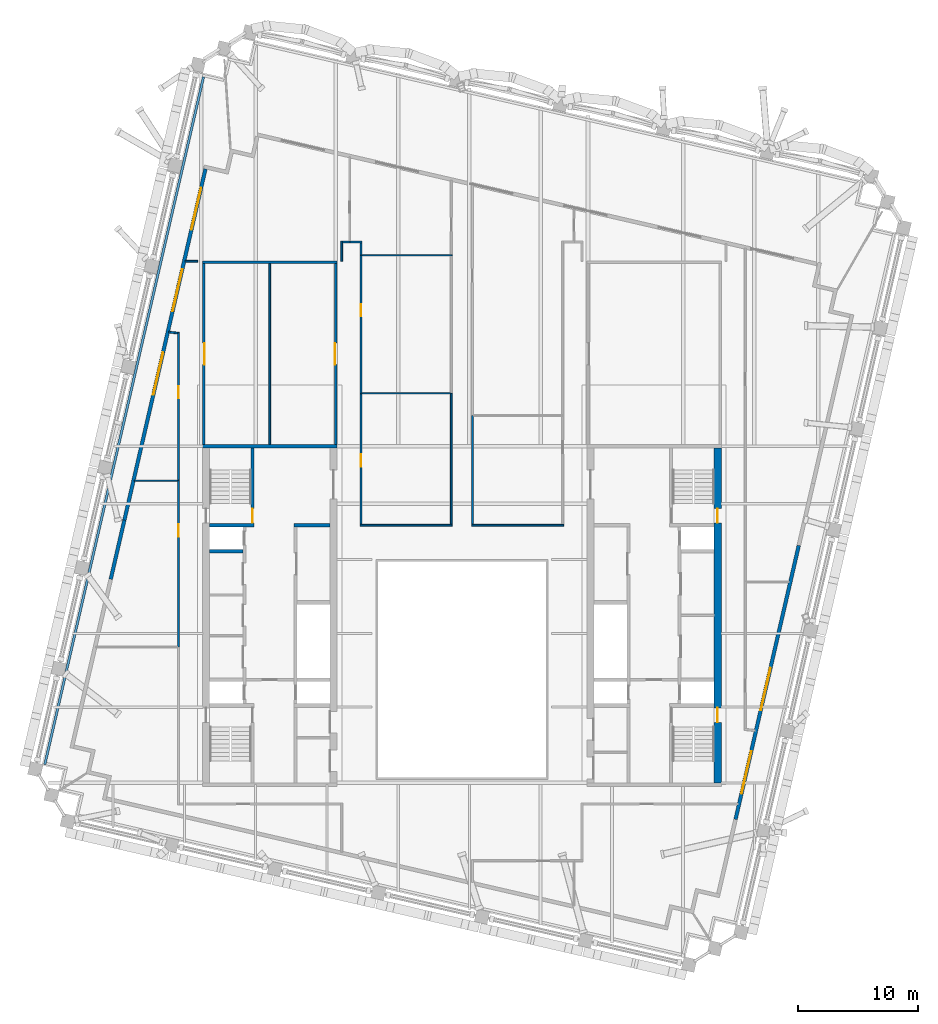
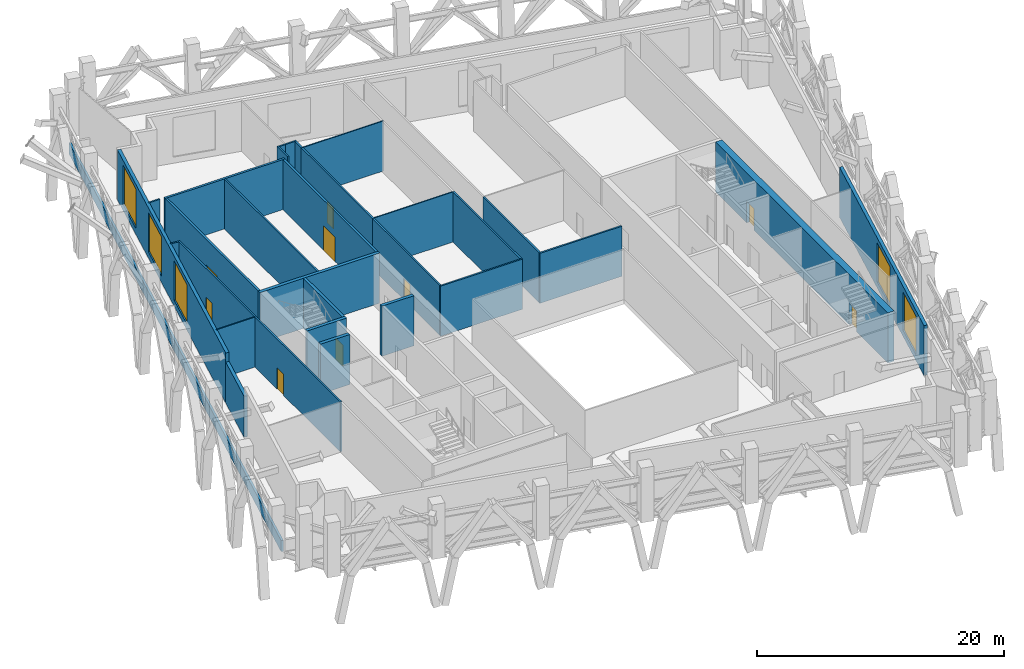
# One storey, part 8 of 19: 31 walls, 9 doors, 5 windows, 14 openings.
"""IFC4 building model written with IfcOpenShell, lengths in metres."""

from ifc_helpers import new_model, si_unit, direction, frame, frame_2d, origin, place, context, subcontext, project, spatial, rectangle, extrude, material, layer, layer_set, type_object, element, fill, save


model = new_model("IFC4")

# Units and contexts
model_context = context("Model", 3, precision=1e-05, world=origin(), true_north=direction((0.0, 1.0)))
body_context = subcontext(model_context, "Body", "Model", "MODEL_VIEW")
ifc_project = project(units=[si_unit("LENGTHUNIT", "METRE"), si_unit("AREAUNIT", "SQUARE_METRE"), si_unit("VOLUMEUNIT", "CUBIC_METRE"), si_unit("PLANEANGLEUNIT", "RADIAN"), si_unit("MASSUNIT", "GRAM", prefix="KILO")], contexts=[model_context])

# Site, building, storey
site_placement = place(None, origin())
site = spatial("IfcSite", under=ifc_project, at=site_placement, CompositionType="ELEMENT")
building_placement = place(site_placement, origin())
building = spatial("IfcBuilding", under=site, at=building_placement, Name="Ogive Exchange Tower", CompositionType="ELEMENT")
storey_placement = place(building_placement, frame((0.0, 0.0, 297.60009765625)))
storey = spatial("IfcBuildingStorey", under=building, at=storey_placement, Name="L65", CompositionType="ELEMENT", Elevation=297.60009765625)

# Walls
ifc_material_1 = material(Name="Gypsum board partition")
ifc_layer_1 = layer(ifc_material_1, 0.14990234375)
ifc_layer_set_1 = layer_set([ifc_layer_1], Name="Core room partition 150 gypsum")
wall_type_1 = type_object("IfcWallType", Name="Core room partition 150 gypsum", PredefinedType="PARTITIONING", material=ifc_layer_set_1)
wall_1_placement = place(storey_placement, frame((-16.0, 25.75, 0.0), z_axis=(0.0, 0.0, 1.0), x_axis=(0.0, 1.0, 0.0)))
element("IfcWall", 1, at=wall_1_placement, inside=storey, type_object=wall_type_1, Name="W annex N column wall", PredefinedType="PARTITIONING", context=body_context, shape_type="SweptSolid", body=[
    extrude(rectangle(XDim=15.050048828125, YDim=0.14990234375, at=frame_2d((7.52490234375, 0.0))), origin(), (0.0, 0.0, 1.0), 4.949951171875),
])
ifc_layer_2 = layer(ifc_material_1, 0.300048828125)
ifc_layer_set_2 = layer_set([ifc_layer_2], Name="Core room partition 300 gypsum")
wall_type_2 = type_object("IfcWallType", Name="Core room partition 300 gypsum", PredefinedType="PARTITIONING", material=ifc_layer_set_2)
wall_2_placement = place(storey_placement, frame((-14.0, 19.0, 0.0), z_axis=(0.0, 0.0, 1.0), x_axis=(1.0, 0.0, 0.0)))
element("IfcWall", 2, at=wall_2_placement, inside=storey, type_object=wall_type_2, Name="W row B room end wall 7", PredefinedType="PARTITIONING", context=body_context, shape_type="SweptSolid", body=[
    extrude(rectangle(XDim=3.0, YDim=0.300048828125, at=frame_2d((1.5, 0.0))), origin(), (0.0, 0.0, 1.0), 4.949951171875),
])

# Wall, opening, door
ifc_material_2 = material(Name="Fire partition EI 60 150")
ifc_layer_3 = layer(ifc_material_2, 0.14990234375)
ifc_layer_set_3 = layer_set([ifc_layer_3], Name="Fire partition EI 60 150")
wall_type_3 = type_object("IfcWallType", Name="Fire partition EI 60 150", PredefinedType="PARTITIONING", material=ifc_layer_set_3)
wall_3_placement = place(storey_placement, frame((-23.60009765625, 8.860107421875, 0.0), z_axis=(0.0, 0.0, 1.0), x_axis=(0.0, 1.0, 0.0)))
wall_3 = element("IfcWall", 3, at=wall_3_placement, inside=storey, type_object=wall_type_3, Name="L65-PWL-003", PredefinedType="PARTITIONING", context=body_context, shape_type="SweptSolid", body=[
    extrude(rectangle(XDim=13.909912109375, YDim=0.14990234375, at=frame_2d((6.955078125, 0.0))), origin(), (0.0, 0.0, 1.0), 4.949951171875),
])
opening_1_placement = place(wall_3_placement, frame((9.2099609375, 0.0, 0.0)))
opening_1 = element("IfcOpeningElement", 4, at=opening_1_placement, cuts=wall_3, Name="Opening L65-I06", PredefinedType="OPENING", context=body_context, shape_type="SweptSolid", body=[
    extrude(rectangle(XDim=1.0, YDim=2.10009765625, at=frame_2d((0.5, 1.050048828125))), frame((0.0, 0.0849609375, 0.0), z_axis=(0.0, -1.0, 0.0), x_axis=(1.0, 0.0, 0.0)), (0.0, 0.0, 1.0), 0.169921875),
])
ifc_material_3 = material(Name="Fire door FD 30S 1000 x 2100")
door_type_1 = type_object("IfcDoorType", Name="Fire door FD 30S 1000 x 2100", OperationType="NOTDEFINED", PredefinedType="DOOR", material=ifc_material_3)
door_1_placement = place(opening_1_placement, origin())
door_1 = element("IfcDoor", 5, at=door_1_placement, inside=storey, type_object=door_type_1, Name="L65-IDR-006", ObjectType="DT3", OperationType="SINGLE_SWING_LEFT", OverallHeight=2.10009765625, OverallWidth=1.0, PredefinedType="DOOR", context=body_context, shape_type="SweptSolid", body=[
    extrude(rectangle(XDim=1.0, YDim=2.10009765625, at=frame_2d((0.5, 1.050048828125))), frame((0.0, 0.02490234375, 0.0), z_axis=(0.0, -1.0, 0.0), x_axis=(1.0, 0.0, 0.0)), (0.0, 0.0, 1.0), 0.050048828125),
])
fill(opening_1, door_1)

wall_4_placement = place(storey_placement, frame((-23.60009765625, 22.77001953125, 0.0), z_axis=(0.0, 0.0, 1.0), x_axis=(0.0, 1.0, 0.0)))
wall_4 = element("IfcWall", 6, at=wall_4_placement, inside=storey, type_object=wall_type_3, Name="L65-PWL-005", PredefinedType="PARTITIONING", context=body_context, shape_type="SweptSolid", body=[
    extrude(rectangle(XDim=12.304931640625, YDim=0.14990234375, at=frame_2d((6.15234375, 0.0))), origin(), (0.0, 0.0, 1.0), 4.949951171875),
])
opening_2_placement = place(wall_4_placement, frame((6.830078125, 0.0, 0.0)))
opening_2 = element("IfcOpeningElement", 7, at=opening_2_placement, cuts=wall_4, Name="Opening L65-I05", PredefinedType="OPENING", context=body_context, shape_type="SweptSolid", body=[
    extrude(rectangle(XDim=1.0, YDim=2.10009765625, at=frame_2d((0.5, 1.050048828125))), frame((0.0, 0.0849609375, 0.0), z_axis=(0.0, -1.0, 0.0), x_axis=(1.0, 0.0, 0.0)), (0.0, 0.0, 1.0), 0.169921875),
])
door_2_placement = place(opening_2_placement, origin())
door_2 = element("IfcDoor", 8, at=door_2_placement, inside=storey, type_object=door_type_1, Name="L65-IDR-005", ObjectType="DT3", OperationType="SINGLE_SWING_LEFT", OverallHeight=2.10009765625, OverallWidth=1.0, PredefinedType="DOOR", context=body_context, shape_type="SweptSolid", body=[
    extrude(rectangle(XDim=1.0, YDim=2.10009765625, at=frame_2d((0.5, 1.050048828125))), frame((0.0, 0.02490234375, 0.0), z_axis=(0.0, -1.0, 0.0), x_axis=(1.0, 0.0, 0.0)), (0.0, 0.0, 1.0), 0.050048828125),
])
fill(opening_2, door_2)

# Walls
wall_5_placement = place(storey_placement, frame((-23.675048828125, 35.009033203125, 0.0), z_axis=(0.0, 0.0, 1.0), x_axis=(-0.99346561474, 0.11413181997, 0.0)))
element("IfcWall", 9, at=wall_5_placement, inside=storey, type_object=wall_type_3, Name="L65-PWL-006", PredefinedType="PARTITIONING", context=body_context, shape_type="SweptSolid", body=[
    extrude(rectangle(XDim=0.7529296875, YDim=0.14990234375, at=frame_2d((0.37646484375, 0.0))), origin(), (0.0, 0.0, 1.0), 4.949951171875),
])
wall_6_placement = place(storey_placement, frame((-23.06005859375, 41.0, 0.0), z_axis=(0.0, 0.0, 1.0), x_axis=(1.0, 0.0, 0.0)))
element("IfcWall", 10, at=wall_6_placement, inside=storey, type_object=wall_type_3, Name="L65-PWL-007", PredefinedType="PARTITIONING", context=body_context, shape_type="SweptSolid", body=[
    extrude(rectangle(XDim=1.06005859375, YDim=0.14990234375, at=frame_2d((0.530029296875, 0.0))), origin(), (0.0, 0.0, 1.0), 4.949951171875),
])
wall_7_placement = place(storey_placement, frame((-10.0, 40.989990234375, 0.0), z_axis=(0.0, 0.0, 1.0), x_axis=(0.0, 1.0, 0.0)))
element("IfcWall", 11, at=wall_7_placement, inside=storey, type_object=wall_type_3, Name="L65-PWL-010", PredefinedType="PARTITIONING", context=body_context, shape_type="SweptSolid", body=[
    extrude(rectangle(XDim=1.68505859375, YDim=0.14990234375, at=frame_2d((0.842529296875, 0.0))), origin(), (0.0, 0.0, 1.0), 4.949951171875),
])
wall_8_placement = place(storey_placement, frame((-9.925048828125, 42.60009765625, 0.0), z_axis=(0.0, 0.0, 1.0), x_axis=(1.0, 0.0, 0.0)))
element("IfcWall", 12, at=wall_8_placement, inside=storey, type_object=wall_type_3, Name="L65-PWL-011", PredefinedType="PARTITIONING", context=body_context, shape_type="SweptSolid", body=[
    extrude(rectangle(XDim=0.5849609375, YDim=0.14990234375, at=frame_2d((0.29248046875, 0.0))), origin(), (0.0, 0.0, 1.0), 4.949951171875),
])
wall_9_placement = place(storey_placement, frame((-9.340087890625, 42.60009765625, 0.0), z_axis=(0.0, 0.0, 1.0), x_axis=(1.0, 0.0, 0.0)))
element("IfcWall", 13, at=wall_9_placement, inside=storey, type_object=wall_type_3, Name="L65-PWL-013", PredefinedType="PARTITIONING", context=body_context, shape_type="SweptSolid", body=[
    extrude(rectangle(XDim=1.01513671875, YDim=0.14990234375, at=frame_2d((0.507568359375, 0.0))), origin(), (0.0, 0.0, 1.0), 4.949951171875),
])
wall_10_placement = place(storey_placement, frame((-8.47509765625, 19.0, 0.0), z_axis=(0.0, 0.0, 1.0), x_axis=(1.0, 0.0, 0.0)))
element("IfcWall", 14, at=wall_10_placement, inside=storey, type_object=wall_type_3, Name="L65-PWL-014", PredefinedType="PARTITIONING", context=body_context, shape_type="SweptSolid", body=[
    extrude(rectangle(XDim=7.670166015625, YDim=0.14990234375, at=frame_2d((3.8349609375, 0.0))), origin(), (0.0, 0.0, 1.0), 4.949951171875),
])

# Wall, opening, door
wall_11_placement = place(storey_placement, frame((-8.39990234375, 29.949951171875, 0.0), z_axis=(0.0, 0.0, 1.0), x_axis=(0.0, -1.0, 0.0)))
wall_11 = element("IfcWall", 15, at=wall_11_placement, inside=storey, type_object=wall_type_3, Name="L65-PWL-015", PredefinedType="PARTITIONING", context=body_context, shape_type="SweptSolid", body=[
    extrude(rectangle(XDim=10.875, YDim=0.14990234375, at=frame_2d((5.4375, 0.0))), origin(), (0.0, 0.0, 1.0), 4.949951171875),
])
opening_3_placement = place(wall_11_placement, frame((5.050048828125, 0.0, 0.0)))
opening_3 = element("IfcOpeningElement", 16, at=opening_3_placement, cuts=wall_11, Name="Opening L65-I02", PredefinedType="OPENING", context=body_context, shape_type="SweptSolid", body=[
    extrude(rectangle(XDim=1.0, YDim=2.10009765625, at=frame_2d((0.5, 1.050048828125))), frame((0.0, 0.0849609375, 0.0), z_axis=(0.0, -1.0, 0.0), x_axis=(1.0, 0.0, 0.0)), (0.0, 0.0, 1.0), 0.169921875),
])
door_3_placement = place(opening_3_placement, origin())
door_3 = element("IfcDoor", 17, at=door_3_placement, inside=storey, type_object=door_type_1, Name="L65-IDR-002", ObjectType="DT3", OperationType="SINGLE_SWING_RIGHT", OverallHeight=2.10009765625, OverallWidth=1.0, PredefinedType="DOOR", context=body_context, shape_type="SweptSolid", body=[
    extrude(rectangle(XDim=1.0, YDim=2.10009765625, at=frame_2d((0.5, 1.050048828125))), frame((0.0, 0.02490234375, 0.0), z_axis=(0.0, -1.0, 0.0), x_axis=(1.0, 0.0, 0.0)), (0.0, 0.0, 1.0), 0.050048828125),
])
fill(opening_3, door_3)

wall_12_placement = place(storey_placement, frame((-8.39990234375, 41.550048828125, 0.0), z_axis=(0.0, 0.0, 1.0), x_axis=(0.0, -1.0, 0.0)))
wall_12 = element("IfcWall", 18, at=wall_12_placement, inside=storey, type_object=wall_type_3, Name="L65-PWL-016", PredefinedType="PARTITIONING", context=body_context, shape_type="SweptSolid", body=[
    extrude(rectangle(XDim=11.60009765625, YDim=0.14990234375, at=frame_2d((5.800048828125, 0.0))), origin(), (0.0, 0.0, 1.0), 4.949951171875),
])
opening_4_placement = place(wall_12_placement, frame((4.14990234375, 0.0, 0.0)))
opening_4 = element("IfcOpeningElement", 19, at=opening_4_placement, cuts=wall_12, Name="Opening L65-I01", PredefinedType="OPENING", context=body_context, shape_type="SweptSolid", body=[
    extrude(rectangle(XDim=1.0, YDim=2.10009765625, at=frame_2d((0.5, 1.050048828125))), frame((0.0, 0.0849609375, 0.0), z_axis=(0.0, -1.0, 0.0), x_axis=(1.0, 0.0, 0.0)), (0.0, 0.0, 1.0), 0.169921875),
])
door_4_placement = place(opening_4_placement, origin())
door_4 = element("IfcDoor", 20, at=door_4_placement, inside=storey, type_object=door_type_1, Name="L65-IDR-001", ObjectType="DT3", OperationType="SINGLE_SWING_RIGHT", OverallHeight=2.10009765625, OverallWidth=1.0, PredefinedType="DOOR", context=body_context, shape_type="SweptSolid", body=[
    extrude(rectangle(XDim=1.0, YDim=2.10009765625, at=frame_2d((0.5, 1.050048828125))), frame((0.0, 0.02490234375, 0.0), z_axis=(0.0, -1.0, 0.0), x_axis=(1.0, 0.0, 0.0)), (0.0, 0.0, 1.0), 0.050048828125),
])
fill(opening_4, door_4)

# Walls
wall_13_placement = place(storey_placement, frame((-8.39990234375, 42.52490234375, 0.0), z_axis=(0.0, 0.0, 1.0), x_axis=(0.0, -1.0, 0.0)))
element("IfcWall", 21, at=wall_13_placement, inside=storey, type_object=wall_type_3, Name="L65-PWL-018", PredefinedType="PARTITIONING", context=body_context, shape_type="SweptSolid", body=[
    extrude(rectangle(XDim=1.02490234375, YDim=0.14990234375, at=frame_2d((0.512451171875, 0.0))), origin(), (0.0, 0.0, 1.0), 4.949951171875),
])
wall_14_placement = place(storey_placement, frame((-0.8798828125, 19.074951171875, 0.0), z_axis=(0.0, 0.0, 1.0), x_axis=(0.0, 1.0, 0.0)))
element("IfcWall", 22, at=wall_14_placement, inside=storey, type_object=wall_type_3, Name="L65-PWL-019", PredefinedType="PARTITIONING", context=body_context, shape_type="SweptSolid", body=[
    extrude(rectangle(XDim=10.925048828125, YDim=0.14990234375, at=frame_2d((5.46240234375, 0.0))), origin(), (0.0, 0.0, 1.0), 4.949951171875),
])
wall_15_placement = place(storey_placement, frame((0.804931640625, 19.0, 0.0), z_axis=(0.0, 0.0, 1.0), x_axis=(1.0, 0.0, 0.0)))
element("IfcWall", 23, at=wall_15_placement, inside=storey, type_object=wall_type_3, Name="L65-PWL-024", PredefinedType="PARTITIONING", context=body_context, shape_type="SweptSolid", body=[
    extrude(rectangle(XDim=7.670166015625, YDim=0.14990234375, at=frame_2d((3.8349609375, 0.0))), origin(), (0.0, 0.0, 1.0), 4.949951171875),
])
wall_16_placement = place(storey_placement, frame((0.8798828125, 28.139892578125, 0.0), z_axis=(0.0, 0.0, 1.0), x_axis=(0.0, -1.0, 0.0)))
element("IfcWall", 24, at=wall_16_placement, inside=storey, type_object=wall_type_3, Name="L65-PWL-025", PredefinedType="PARTITIONING", context=body_context, shape_type="SweptSolid", body=[
    extrude(rectangle(XDim=9.06494140625, YDim=0.14990234375, at=frame_2d((4.532470703125, 0.0))), origin(), (0.0, 0.0, 1.0), 4.949951171875),
])

# Wall, openings, windows
ifc_material_4 = material(Name="Precast concrete C40/50", Category="concrete")
ifc_layer_4 = layer(ifc_material_4, 0.300048828125)
ifc_layer_set_4 = layer_set([ifc_layer_4], Name="Limestone-faced wall 300")
wall_type_4 = type_object("IfcWallType", Name="Limestone-faced wall 300", PredefinedType="STANDARD", material=ifc_layer_set_4)
wall_17_placement = place(storey_placement, frame((-21.35888671875, 48.67822265625, 0.0), z_axis=(0.0, 0.0, 1.0), x_axis=(-0.224949219336, -0.974370488428, 0.0)))
wall_17 = element("IfcWall", 25, at=wall_17_placement, inside=storey, type_object=wall_type_4, Name="External wall W4", PredefinedType="STANDARD", context=body_context, shape_type="SweptSolid", body=[
    extrude(rectangle(XDim=30.01123046875, YDim=0.300048828125, at=frame_2d((15.005615234375, 0.0))), origin(), (0.0, 0.0, 1.0), 4.949951171875),
])
opening_5_placement = place(wall_17_placement, frame((1.607177734375, 0.0, 0.60009765625)))
opening_5 = element("IfcOpeningElement", 26, at=opening_5_placement, cuts=wall_17, Name="Opening LV1", PredefinedType="OPENING", context=body_context, shape_type="SweptSolid", body=[
    extrude(rectangle(XDim=3.60009765625, YDim=3.89990234375, at=frame_2d((1.800048828125, 1.949951171875))), frame((0.0, 0.159912109375, 0.0), z_axis=(0.0, -1.0, 0.0), x_axis=(1.0, 0.0, 0.0)), (0.0, 0.0, 1.0), 0.320068359375),
])
opening_6_placement = place(wall_17_placement, frame((8.5712890625, 0.0, 0.60009765625)))
opening_6 = element("IfcOpeningElement", 27, at=opening_6_placement, cuts=wall_17, Name="Opening LV1", PredefinedType="OPENING", context=body_context, shape_type="SweptSolid", body=[
    extrude(rectangle(XDim=3.60009765625, YDim=3.89990234375, at=frame_2d((1.800048828125, 1.949951171875))), frame((0.0, 0.159912109375, 0.0), z_axis=(0.0, -1.0, 0.0), x_axis=(1.0, 0.0, 0.0)), (0.0, 0.0, 1.0), 0.320068359375),
])
opening_7_placement = place(wall_17_placement, frame((15.685791015625, 0.0, 0.60009765625)))
opening_7 = element("IfcOpeningElement", 28, at=opening_7_placement, cuts=wall_17, Name="Opening LV1", PredefinedType="OPENING", context=body_context, shape_type="SweptSolid", body=[
    extrude(rectangle(XDim=3.60009765625, YDim=3.89990234375, at=frame_2d((1.800048828125, 1.949951171875))), frame((0.0, 0.159912109375, 0.0), z_axis=(0.0, -1.0, 0.0), x_axis=(1.0, 0.0, 0.0)), (0.0, 0.0, 1.0), 0.320068359375),
])
ifc_material_5 = material(Name="Anodised aluminium louvre", Category="aluminium")
window_type_1 = type_object("IfcWindowType", Name="Plant louvre 3600 x 3900", PartitioningType="DOUBLE_PANEL_HORIZONTAL", PredefinedType="WINDOW", material=ifc_material_5)
window_1_placement = place(opening_5_placement, origin())
window_1 = element("IfcWindow", 29, at=window_1_placement, inside=storey, type_object=window_type_1, Name="Louvre W00", OverallHeight=3.89990234375, OverallWidth=3.60009765625, PartitioningType="DOUBLE_PANEL_HORIZONTAL", PredefinedType="WINDOW", context=body_context, shape_type="SweptSolid", body=[
    extrude(rectangle(XDim=3.60009765625, YDim=3.89990234375, at=frame_2d((1.800048828125, 1.949951171875))), frame((0.0, 0.030029296875, 0.0), z_axis=(0.0, -1.0, 0.0), x_axis=(1.0, 0.0, 0.0)), (0.0, 0.0, 1.0), 0.06005859375),
])
fill(opening_5, window_1)
window_2_placement = place(opening_6_placement, origin())
window_2 = element("IfcWindow", 30, at=window_2_placement, inside=storey, type_object=window_type_1, Name="Louvre W01", OverallHeight=3.89990234375, OverallWidth=3.60009765625, PartitioningType="DOUBLE_PANEL_HORIZONTAL", PredefinedType="WINDOW", context=body_context, shape_type="SweptSolid", body=[
    extrude(rectangle(XDim=3.60009765625, YDim=3.89990234375, at=frame_2d((1.800048828125, 1.949951171875))), frame((0.0, 0.030029296875, 0.0), z_axis=(0.0, -1.0, 0.0), x_axis=(1.0, 0.0, 0.0)), (0.0, 0.0, 1.0), 0.06005859375),
])
fill(opening_6, window_2)
window_3_placement = place(opening_7_placement, origin())
window_3 = element("IfcWindow", 31, at=window_3_placement, inside=storey, type_object=window_type_1, Name="Louvre W02", OverallHeight=3.89990234375, OverallWidth=3.60009765625, PartitioningType="DOUBLE_PANEL_HORIZONTAL", PredefinedType="WINDOW", context=body_context, shape_type="SweptSolid", body=[
    extrude(rectangle(XDim=3.60009765625, YDim=3.89990234375, at=frame_2d((1.800048828125, 1.949951171875))), frame((0.0, 0.030029296875, 0.0), z_axis=(0.0, -1.0, 0.0), x_axis=(1.0, 0.0, 0.0)), (0.0, 0.0, 1.0), 0.06005859375),
])
fill(opening_7, window_3)

wall_18_placement = place(storey_placement, frame((22.788818359375, -5.48486328125, 0.0), z_axis=(0.0, 0.0, 1.0), x_axis=(0.224937970591, 0.974373085315, 0.0)))
wall_18 = element("IfcWall", 32, at=wall_18_placement, inside=storey, type_object=wall_type_4, Name="External wall E2", PredefinedType="STANDARD", context=body_context, shape_type="SweptSolid", body=[
    extrude(rectangle(XDim=23.406005859375, YDim=0.300048828125, at=frame_2d((11.703125, 0.0))), origin(), (0.0, 0.0, 1.0), 4.949951171875),
])
opening_8_placement = place(wall_18_placement, frame((2.215087890625, 0.0, 0.60009765625)))
opening_8 = element("IfcOpeningElement", 33, at=opening_8_placement, cuts=wall_18, Name="Opening LV1B", PredefinedType="OPENING", context=body_context, shape_type="SweptSolid", body=[
    extrude(rectangle(XDim=3.60009765625, YDim=3.800048828125, at=frame_2d((1.800048828125, 1.89990234375))), frame((0.0, 0.159912109375, 0.0), z_axis=(0.0, -1.0, 0.0), x_axis=(1.0, 0.0, 0.0)), (0.0, 0.0, 1.0), 0.320068359375),
])
opening_9_placement = place(wall_18_placement, frame((9.329345703125, 0.0, 0.60009765625)))
opening_9 = element("IfcOpeningElement", 34, at=opening_9_placement, cuts=wall_18, Name="Opening LV1A", PredefinedType="OPENING", context=body_context, shape_type="SweptSolid", body=[
    extrude(rectangle(XDim=3.60009765625, YDim=3.85009765625, at=frame_2d((1.800048828125, 1.925048828125))), frame((0.0, 0.159912109375, 0.0), z_axis=(0.0, -1.0, 0.0), x_axis=(1.0, 0.0, 0.0)), (0.0, 0.0, 1.0), 0.320068359375),
])
window_type_2 = type_object("IfcWindowType", Name="Plant louvre 3600 x 3800", PartitioningType="DOUBLE_PANEL_HORIZONTAL", PredefinedType="WINDOW", material=ifc_material_5)
window_4_placement = place(opening_8_placement, origin())
window_4 = element("IfcWindow", 35, at=window_4_placement, inside=storey, type_object=window_type_2, Name="Louvre E01", OverallHeight=3.800048828125, OverallWidth=3.60009765625, PartitioningType="DOUBLE_PANEL_HORIZONTAL", PredefinedType="WINDOW", context=body_context, shape_type="SweptSolid", body=[
    extrude(rectangle(XDim=3.60009765625, YDim=3.800048828125, at=frame_2d((1.800048828125, 1.89990234375))), frame((0.0, 0.030029296875, 0.0), z_axis=(0.0, -1.0, 0.0), x_axis=(1.0, 0.0, 0.0)), (0.0, 0.0, 1.0), 0.06005859375),
])
fill(opening_8, window_4)
window_type_3 = type_object("IfcWindowType", Name="Plant louvre 3600 x 3850", PartitioningType="DOUBLE_PANEL_HORIZONTAL", PredefinedType="WINDOW", material=ifc_material_5)
window_5_placement = place(opening_9_placement, origin())
window_5 = element("IfcWindow", 36, at=window_5_placement, inside=storey, type_object=window_type_3, Name="Louvre E02", OverallHeight=3.85009765625, OverallWidth=3.60009765625, PartitioningType="DOUBLE_PANEL_HORIZONTAL", PredefinedType="WINDOW", context=body_context, shape_type="SweptSolid", body=[
    extrude(rectangle(XDim=3.60009765625, YDim=3.85009765625, at=frame_2d((1.800048828125, 1.925048828125))), frame((0.0, 0.030029296875, 0.0), z_axis=(0.0, -1.0, 0.0), x_axis=(1.0, 0.0, 0.0)), (0.0, 0.0, 1.0), 0.06005859375),
])
fill(opening_9, window_5)

# Walls
wall_19_placement = place(storey_placement, frame((-28.10986328125, 19.436279296875, 0.0), z_axis=(0.0, 0.0, 1.0), x_axis=(-0.22493716303, -0.974373271743, 0.0)))
element("IfcWall", 37, at=wall_19_placement, inside=storey, type_object=wall_type_4, Name="External wall W4", PredefinedType="STANDARD", context=body_context, shape_type="SweptSolid", body=[
    extrude(rectangle(XDim=5.05126953125, YDim=0.300048828125, at=frame_2d((2.525634765625, 0.0))), origin(), (0.0, 0.0, 1.0), 4.0498046875),
])
ifc_material_6 = material(Name="Partition 100 gypsum")
ifc_layer_5 = layer(ifc_material_6, 0.10009765625)
ifc_layer_set_5 = layer_set([ifc_layer_5], Name="Partition 100 gypsum")
wall_type_5 = type_object("IfcWallType", Name="Partition 100 gypsum", PredefinedType="PARTITIONING", material=ifc_layer_set_5)
wall_20_placement = place(storey_placement, frame((-23.675048828125, 22.719970703125, 0.0), z_axis=(0.0, 0.0, 1.0), x_axis=(-1.0, 0.0, 0.0)))
element("IfcWall", 38, at=wall_20_placement, inside=storey, type_object=wall_type_5, Name="L65-PWL-004", PredefinedType="PARTITIONING", context=body_context, shape_type="SweptSolid", body=[
    extrude(rectangle(XDim=3.60498046875, YDim=0.10009765625, at=frame_2d((1.802490234375, 0.0))), origin(), (0.0, 0.0, 1.0), 4.949951171875),
])
wall_21_placement = place(storey_placement, frame((-8.324951171875, 41.5, 0.0), z_axis=(0.0, 0.0, 1.0), x_axis=(1.0, 0.0, 0.0)))
element("IfcWall", 39, at=wall_21_placement, inside=storey, type_object=wall_type_5, Name="L65-PWL-017", PredefinedType="PARTITIONING", context=body_context, shape_type="SweptSolid", body=[
    extrude(rectangle(XDim=7.52001953125, YDim=0.10009765625, at=frame_2d((3.760009765625, 0.0))), origin(), (0.0, 0.0, 1.0), 4.949951171875),
])
wall_22_placement = place(storey_placement, frame((-0.955078125, 30.0, 0.0), z_axis=(0.0, 0.0, 1.0), x_axis=(-1.0, 0.0, 0.0)))
element("IfcWall", 40, at=wall_22_placement, inside=storey, type_object=wall_type_5, Name="L65-PWL-020", PredefinedType="PARTITIONING", context=body_context, shape_type="SweptSolid", body=[
    extrude(rectangle(XDim=7.369873046875, YDim=0.10009765625, at=frame_2d((3.68505859375, 0.0))), origin(), (0.0, 0.0, 1.0), 4.949951171875),
])
ifc_layer_6 = layer(ifc_material_4, 0.199951171875)
ifc_layer_set_6 = layer_set([ifc_layer_6], Name="Plant deck parapet 200")
wall_type_6 = type_object("IfcWallType", Name="Plant deck parapet 200", PredefinedType="STANDARD", material=ifc_layer_set_6)
wall_23_placement = place(storey_placement, frame((-21.51708984375, 56.349609375, -0.050048828125), z_axis=(0.0, 0.0, 1.0), x_axis=(-0.224951435492, -0.97436997679, 0.0)))
element("IfcWall", 41, at=wall_23_placement, inside=storey, type_object=wall_type_6, Name="Plant deck parapet 16", PredefinedType="STANDARD", context=body_context, shape_type="SweptSolid", body=[
    extrude(rectangle(XDim=58.769287109375, YDim=0.199951171875, at=frame_2d((29.384765625, 0.0))), origin(), (0.0, 0.0, 1.0), 1.099853515625),
])

# Wall, opening, door
ifc_material_7 = material(Name="Concrete C70/85", Category="concrete")
ifc_layer_7 = layer(ifc_material_7, 0.199951171875)
ifc_layer_set_7 = layer_set([ifc_layer_7], Name="RC core wall 200 C70/85")
wall_type_7 = type_object("IfcWallType", Name="RC core wall 200 C70/85", PredefinedType="SHEAR", material=ifc_layer_set_7)
wall_24_placement = place(storey_placement, frame((-21.5, 25.75, 0.0), z_axis=(0.0, 0.0, 1.0), x_axis=(0.0, 1.0, 0.0)))
wall_24 = element("IfcWall", 42, at=wall_24_placement, inside=storey, type_object=wall_type_7, Name="W annex N outer wall", PredefinedType="SHEAR", context=body_context, shape_type="SweptSolid", body=[
    extrude(rectangle(XDim=15.050048828125, YDim=0.199951171875, at=frame_2d((7.52490234375, 0.0))), origin(), (0.0, 0.0, 1.0), 4.949951171875),
])
opening_10_placement = place(wall_24_placement, frame((6.625, 0.0, 0.0)))
opening_10 = element("IfcOpeningElement", 43, at=opening_10_placement, cuts=wall_24, Name="Opening L65-C16", PredefinedType="OPENING", context=body_context, shape_type="SweptSolid", body=[
    extrude(rectangle(XDim=1.800048828125, YDim=2.39990234375, at=frame_2d((0.89990234375, 1.199951171875))), frame((0.0, 0.10986328125, 0.0), z_axis=(0.0, -1.0, 0.0), x_axis=(1.0, 0.0, 0.0)), (0.0, 0.0, 1.0), 0.219970703125),
])
ifc_material_8 = material(Name="Steel fire door", Category="steel")
door_type_2 = type_object("IfcDoorType", Name="Plant room door FD60 1800 x 2400", OperationType="DOUBLE_DOOR_SINGLE_SWING", PredefinedType="DOOR", material=ifc_material_8)
door_5_placement = place(opening_10_placement, origin())
door_5 = element("IfcDoor", 44, at=door_5_placement, inside=storey, type_object=door_type_2, Name="Plant room door", ObjectType="CD1", OperationType="DOUBLE_DOOR_SINGLE_SWING", OverallHeight=2.39990234375, OverallWidth=1.800048828125, PredefinedType="DOOR", context=body_context, shape_type="SweptSolid", body=[
    extrude(rectangle(XDim=1.800048828125, YDim=2.39990234375, at=frame_2d((0.89990234375, 1.199951171875))), frame((0.0, -0.0498046875, 0.0), z_axis=(0.0, -1.0, 0.0), x_axis=(1.0, 0.0, 0.0)), (0.0, 0.0, 1.0), 0.050048828125),
])
fill(opening_10, door_5)

wall_25_placement = place(storey_placement, frame((-10.5, 25.75, 0.0), z_axis=(0.0, 0.0, 1.0), x_axis=(0.0, 1.0, 0.0)))
wall_25 = element("IfcWall", 45, at=wall_25_placement, inside=storey, type_object=wall_type_7, Name="W annex N inner wall", PredefinedType="SHEAR", context=body_context, shape_type="SweptSolid", body=[
    extrude(rectangle(XDim=15.050048828125, YDim=0.199951171875, at=frame_2d((7.52490234375, 0.0))), origin(), (0.0, 0.0, 1.0), 4.949951171875),
])
opening_11_placement = place(wall_25_placement, frame((6.625, 0.0, 0.0)))
opening_11 = element("IfcOpeningElement", 46, at=opening_11_placement, cuts=wall_25, Name="Opening L65-C17", PredefinedType="OPENING", context=body_context, shape_type="SweptSolid", body=[
    extrude(rectangle(XDim=1.800048828125, YDim=2.39990234375, at=frame_2d((0.89990234375, 1.199951171875))), frame((0.0, 0.10986328125, 0.0), z_axis=(0.0, -1.0, 0.0), x_axis=(1.0, 0.0, 0.0)), (0.0, 0.0, 1.0), 0.219970703125),
])
door_6_placement = place(opening_11_placement, frame((1.800048828125, 0.14990234375, 0.0), z_axis=(0.0, 0.0, 1.0), x_axis=(-1.0, 0.0, 0.0)))
door_6 = element("IfcDoor", 47, at=door_6_placement, inside=storey, type_object=door_type_2, Name="Plant room door", ObjectType="CD1", OperationType="DOUBLE_DOOR_SINGLE_SWING", OverallHeight=2.39990234375, OverallWidth=1.800048828125, PredefinedType="DOOR", context=body_context, shape_type="SweptSolid", body=[
    extrude(rectangle(XDim=1.800048828125, YDim=2.39990234375, at=frame_2d((0.89990234375, 1.199951171875))), frame((0.0, 0.10009765625, 0.0), z_axis=(0.0, -1.0, 0.0), x_axis=(1.0, 0.0, 0.0)), (0.0, 0.0, 1.0), 0.050048828125),
])
fill(opening_11, door_6)

# Wall
wall_26_placement = place(storey_placement, frame((-21.60009765625, 40.89990234375, 0.0), z_axis=(0.0, 0.0, 1.0), x_axis=(1.0, 0.0, 0.0)))
element("IfcWall", 48, at=wall_26_placement, inside=storey, type_object=wall_type_7, Name="W annex N end wall", PredefinedType="SHEAR", context=body_context, shape_type="SweptSolid", body=[
    extrude(rectangle(XDim=11.2001953125, YDim=0.199951171875, at=frame_2d((5.60009765625, 0.0))), origin(), (0.0, 0.0, 1.0), 4.949951171875),
])

# Wall, opening, door
ifc_layer_8 = layer(ifc_material_7, 0.25)
ifc_layer_set_8 = layer_set([ifc_layer_8], Name="RC core wall 250 C70/85")
wall_type_8 = type_object("IfcWallType", Name="RC core wall 250 C70/85", PredefinedType="SHEAR", material=ifc_layer_set_8)
wall_27_placement = place(storey_placement, frame((-17.425048828125, 19.14990234375, 0.0), z_axis=(0.0, 0.0, 1.0), x_axis=(0.0, 1.0, 0.0)))
wall_27 = element("IfcWall", 49, at=wall_27_placement, inside=storey, type_object=wall_type_8, Name="W stair N front wall", PredefinedType="SHEAR", context=body_context, shape_type="SweptSolid", body=[
    extrude(rectangle(XDim=6.300048828125, YDim=0.25, at=frame_2d((3.14990234375, 0.0))), origin(), (0.0, 0.0, 1.0), 4.949951171875),
])
opening_12_placement = place(wall_27_placement, frame((0.050048828125, 0.0, 0.0)))
opening_12 = element("IfcOpeningElement", 50, at=opening_12_placement, cuts=wall_27, Name="Opening L65-C12", PredefinedType="OPENING", context=body_context, shape_type="SweptSolid", body=[
    extrude(rectangle(XDim=1.199951171875, YDim=2.10009765625, at=frame_2d((0.60009765625, 1.050048828125))), frame((0.0, 0.135009765625, 0.0), z_axis=(0.0, -1.0, 0.0), x_axis=(1.0, 0.0, 0.0)), (0.0, 0.0, 1.0), 0.27001953125),
])
door_type_3 = type_object("IfcDoorType", Name="Stair door FD90 1200 x 2100", OperationType="NOTDEFINED", PredefinedType="DOOR", material=ifc_material_8)
door_7_placement = place(opening_12_placement, origin())
door_7 = element("IfcDoor", 51, at=door_7_placement, inside=storey, type_object=door_type_3, Name="Stair door", ObjectType="CD5", OperationType="SINGLE_SWING_RIGHT", OverallHeight=2.10009765625, OverallWidth=1.199951171875, PredefinedType="DOOR", context=body_context, shape_type="SweptSolid", body=[
    extrude(rectangle(XDim=1.199951171875, YDim=2.10009765625, at=frame_2d((0.60009765625, 1.050048828125))), frame((0.0, 0.02490234375, 0.0), z_axis=(0.0, -1.0, 0.0), x_axis=(1.0, 0.0, 0.0)), (0.0, 0.0, 1.0), 0.050048828125),
])
fill(opening_12, door_7)

# Walls
ifc_layer_9 = layer(ifc_material_7, 0.300048828125)
ifc_layer_set_9 = layer_set([ifc_layer_9], Name="RC core wall 300 C70/85")
wall_type_9 = type_object("IfcWallType", Name="RC core wall 300 C70/85", PredefinedType="SHEAR", material=ifc_layer_set_9)
wall_28_placement = place(storey_placement, frame((-21.60009765625, 25.60009765625, 0.0), z_axis=(0.0, 0.0, 1.0), x_axis=(1.0, 0.0, 0.0)))
element("IfcWall", 52, at=wall_28_placement, inside=storey, type_object=wall_type_9, Name="W north end wall", PredefinedType="SHEAR", context=body_context, shape_type="SweptSolid", body=[
    extrude(rectangle(XDim=11.2001953125, YDim=0.300048828125, at=frame_2d((5.60009765625, 0.0))), origin(), (0.0, 0.0, 1.0), 4.949951171875),
])
wall_29_placement = place(storey_placement, frame((-21.0, 19.0, 0.0), z_axis=(0.0, 0.0, 1.0), x_axis=(1.0, 0.0, 0.0)))
element("IfcWall", 53, at=wall_29_placement, inside=storey, type_object=wall_type_9, Name="W stair N south wall", PredefinedType="SHEAR", context=body_context, shape_type="SweptSolid", body=[
    extrude(rectangle(XDim=3.699951171875, YDim=0.300048828125, at=frame_2d((1.85009765625, 0.0))), origin(), (0.0, 0.0, 1.0), 4.949951171875),
])
wall_30_placement = place(storey_placement, frame((-21.0, 16.857177734375, 0.0), z_axis=(0.0, 0.0, 1.0), x_axis=(1.0, 0.0, 0.0)))
element("IfcWall", 54, at=wall_30_placement, inside=storey, type_object=wall_type_9, Name="W row A divider 6", PredefinedType="SHEAR", context=body_context, shape_type="SweptSolid", body=[
    extrude(rectangle(XDim=2.75, YDim=0.300048828125, at=frame_2d((1.375, 0.0))), origin(), (0.0, 0.0, 1.0), 4.949951171875),
])

# Wall, openings, doors
ifc_layer_10 = layer(ifc_material_7, 0.60009765625)
ifc_layer_set_10 = layer_set([ifc_layer_10], Name="RC core wall 600 C70/85")
wall_type_10 = type_object("IfcWallType", Name="RC core wall 600 C70/85", PredefinedType="SHEAR", material=ifc_layer_set_10)
wall_31_placement = place(storey_placement, frame((21.300048828125, -2.449951171875, 0.0), z_axis=(0.0, 0.0, 1.0), x_axis=(0.0, 1.0, 0.0)))
wall_31 = element("IfcWall", 55, at=wall_31_placement, inside=storey, type_object=wall_type_10, Name="E outer wall", PredefinedType="SHEAR", context=body_context, shape_type="SweptSolid", body=[
    extrude(rectangle(XDim=27.89990234375, YDim=0.60009765625, at=frame_2d((13.949951171875, 0.0))), origin(), (0.0, 0.0, 1.0), 4.949951171875),
])
opening_13_placement = place(wall_31_placement, frame((5.050048828125, 0.0, 0.0)))
opening_13 = element("IfcOpeningElement", 56, at=opening_13_placement, cuts=wall_31, Name="Opening L65-C27", PredefinedType="OPENING", context=body_context, shape_type="SweptSolid", body=[
    extrude(rectangle(XDim=1.199951171875, YDim=2.10009765625, at=frame_2d((0.60009765625, 1.050048828125))), frame((0.0, 0.31005859375, 0.0), z_axis=(0.0, -1.0, 0.0), x_axis=(1.0, 0.0, 0.0)), (0.0, 0.0, 1.0), 0.6201171875),
])
opening_14_placement = place(wall_31_placement, frame((21.64990234375, 0.0, 0.0)))
opening_14 = element("IfcOpeningElement", 57, at=opening_14_placement, cuts=wall_31, Name="Opening L65-C29", PredefinedType="OPENING", context=body_context, shape_type="SweptSolid", body=[
    extrude(rectangle(XDim=1.199951171875, YDim=2.10009765625, at=frame_2d((0.60009765625, 1.050048828125))), frame((0.0, 0.31005859375, 0.0), z_axis=(0.0, -1.0, 0.0), x_axis=(1.0, 0.0, 0.0)), (0.0, 0.0, 1.0), 0.6201171875),
])
door_8_placement = place(opening_13_placement, frame((1.199951171875, 0.0, 0.0), z_axis=(0.0, 0.0, 1.0), x_axis=(-1.0, 0.0, 0.0)))
door_8 = element("IfcDoor", 58, at=door_8_placement, inside=storey, type_object=door_type_3, Name="Stair door", ObjectType="CD5", OperationType="SINGLE_SWING_RIGHT", OverallHeight=2.10009765625, OverallWidth=1.199951171875, PredefinedType="DOOR", context=body_context, shape_type="SweptSolid", body=[
    extrude(rectangle(XDim=1.199951171875, YDim=2.10009765625, at=frame_2d((0.60009765625, 1.050048828125))), frame((0.0, 0.02490234375, 0.0), z_axis=(0.0, -1.0, 0.0), x_axis=(1.0, 0.0, 0.0)), (0.0, 0.0, 1.0), 0.050048828125),
])
fill(opening_13, door_8)
door_9_placement = place(opening_14_placement, frame((1.199951171875, 0.0, 0.0), z_axis=(0.0, 0.0, 1.0), x_axis=(-1.0, 0.0, 0.0)))
door_9 = element("IfcDoor", 59, at=door_9_placement, inside=storey, type_object=door_type_3, Name="Stair door", ObjectType="CD5", OperationType="SINGLE_SWING_LEFT", OverallHeight=2.10009765625, OverallWidth=1.199951171875, PredefinedType="DOOR", context=body_context, shape_type="SweptSolid", body=[
    extrude(rectangle(XDim=1.199951171875, YDim=2.10009765625, at=frame_2d((0.60009765625, 1.050048828125))), frame((0.0, 0.02490234375, 0.0), z_axis=(0.0, -1.0, 0.0), x_axis=(1.0, 0.0, 0.0)), (0.0, 0.0, 1.0), 0.050048828125),
])
fill(opening_14, door_9)

save(model, "model.ifc")
